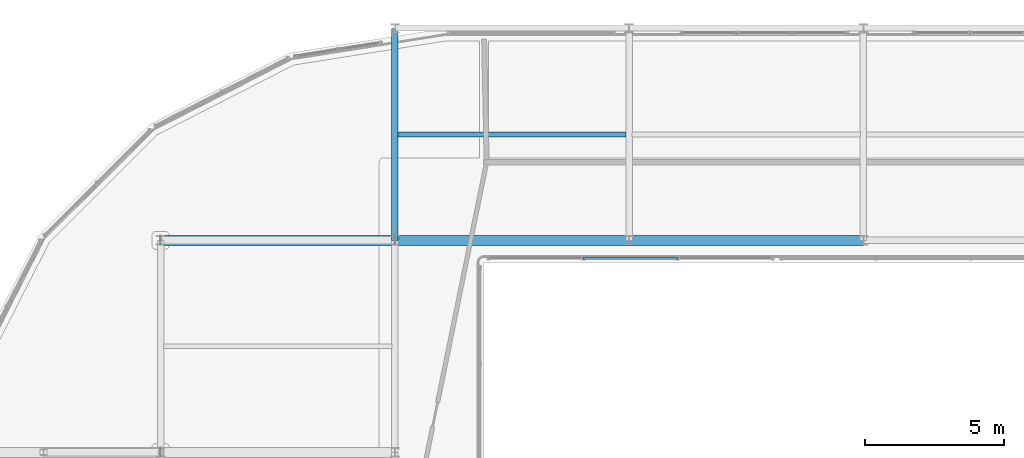
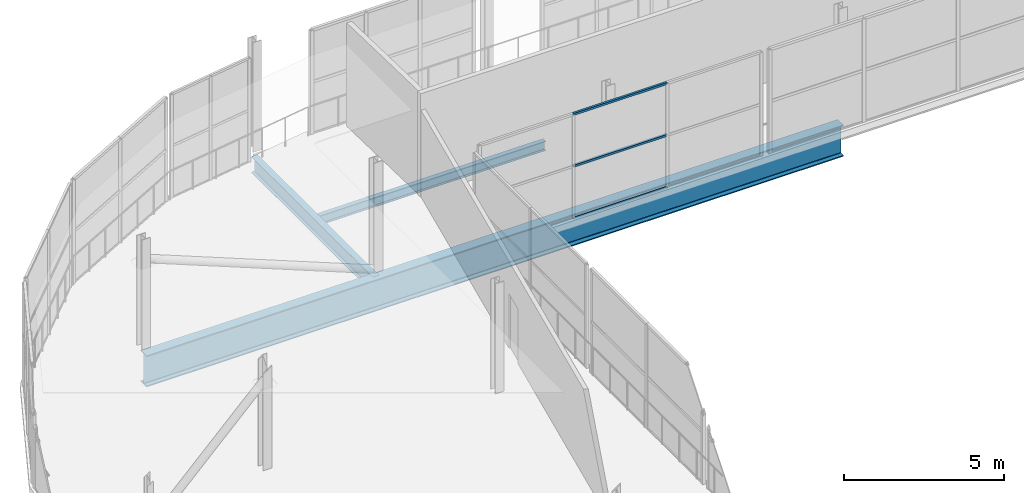
# One storey, part 56 of 151: 3 beams, 3 members, 1 element without a shape of its own.
"""IFC4 building model written with IfcOpenShell, lengths in metres."""

from ifc_helpers import new_model, si_unit, direction, frame, origin, origin_2d, place, context, subcontext, project, spatial, hollow_rectangle, i_section, extrude, material, material_profile, profile_set, type_object, element, aggregate, save


model = new_model("IFC4")

# Units and contexts
model_context = context("Model", 3, precision=1e-05, world=origin(), true_north=direction((0.0, 1.0)))
body_context = subcontext(model_context, "Body", "Model", "MODEL_VIEW")
ifc_project = project(units=[si_unit("LENGTHUNIT", "METRE"), si_unit("AREAUNIT", "SQUARE_METRE"), si_unit("VOLUMEUNIT", "CUBIC_METRE"), si_unit("PLANEANGLEUNIT", "RADIAN"), si_unit("MASSUNIT", "GRAM", prefix="KILO")], contexts=[model_context])

# Site, building, storey
site_placement = place(None, origin())
site = spatial("IfcSite", under=ifc_project, at=site_placement, CompositionType="ELEMENT")
building_placement = place(site_placement, origin())
building = spatial("IfcBuilding", under=site, at=building_placement, Name="Zuvorla Pavilion Media Centre", CompositionType="ELEMENT")
storey_placement = place(building_placement, frame((0.0, 0.0, 13.800048828125)))
storey = spatial("IfcBuildingStorey", under=building, at=storey_placement, Name="L03", CompositionType="ELEMENT", Elevation=13.800048828125)

# Beams
ifc_material_1 = material(Name="Steel S355", Category="steel")
ifc_material_profile_1 = material_profile(ifc_material_1, i_section(OverallWidth=0.360107421875, OverallDepth=1.199951171875, WebThickness=0.02001953125, FlangeThickness=0.0380859375, FilletRadius=0.02392578125, at=origin_2d()), Name="PG 1200x360x38")
ifc_profile_set_1 = profile_set([ifc_material_profile_1], Name="Steel S355")
beam_type_1 = type_object("IfcBeamType", Name="BM-PG1200", PredefinedType="BEAM", material=ifc_profile_set_1)
beam_1_placement = place(storey_placement, frame((41.60009765625, 82.0, -0.858154296875), z_axis=(-1.0, 0.0, 0.0), x_axis=(0.0, -1.0, 0.0)))
element("IfcBeam", 1, at=beam_1_placement, inside=storey, type_object=beam_type_1, Name="L03 beam B01 1693", PredefinedType="BEAM", context=body_context, shape_type="SweptSolid", body=[
    extrude(i_section(OverallWidth=0.360107421875, OverallDepth=1.199951171875, WebThickness=0.02001953125, FlangeThickness=0.0380859375, FilletRadius=0.02392578125, at=origin_2d()), origin(), (0.0, 0.0, 1.0), 25.2001953125),
])
ifc_material_profile_2 = material_profile(ifc_material_1, i_section(OverallWidth=0.172119140625, OverallDepth=0.35791015625, WebThickness=0.008056640625, FlangeThickness=0.012939453125, FilletRadius=0.01025390625, at=origin_2d()), Name="UB 356x171x57")
ifc_profile_set_2 = profile_set([ifc_material_profile_2], Name="Steel S355")
beam_type_2 = type_object("IfcBeamType", Name="BM-UB356", PredefinedType="JOIST", material=ifc_profile_set_2)
beam_2_placement = place(storey_placement, frame((24.909423828125, 85.800048828125, -0.43701171875), z_axis=(1.0, 0.0, 0.0), x_axis=(0.0, 1.0, 0.0)))
element("IfcBeam", 2, at=beam_2_placement, inside=storey, type_object=beam_type_2, Name="L03 joist J03 1237", PredefinedType="JOIST", context=body_context, shape_type="SweptSolid", body=[
    extrude(i_section(OverallWidth=0.172119140625, OverallDepth=0.35791015625, WebThickness=0.008056640625, FlangeThickness=0.012939453125, FilletRadius=0.01025390625, at=origin_2d()), origin(), (0.0, 0.0, 1.0), 8.18115234375),
])
ifc_material_profile_3 = material_profile(ifc_material_1, i_section(OverallWidth=0.22900390625, OverallDepth=0.6123046875, WebThickness=0.011962890625, FlangeThickness=0.01953125, FilletRadius=0.0126953125, at=origin_2d()), Name="UB 610x229x125")
ifc_profile_set_3 = profile_set([ifc_material_profile_3], Name="Steel S355")
beam_type_3 = type_object("IfcBeamType", Name="BM-UB610", PredefinedType="BEAM", material=ifc_profile_set_3)
beam_3_placement = place(storey_placement, frame((24.800048828125, 82.0, -0.564208984375), z_axis=(0.0, 1.0, 0.0), x_axis=(-1.0, 0.0, 0.0)))
element("IfcBeam", 3, at=beam_3_placement, inside=storey, type_object=beam_type_3, Name="L03 beam B07 1156", PredefinedType="BEAM", context=body_context, shape_type="SweptSolid", body=[
    extrude(i_section(OverallWidth=0.22900390625, OverallDepth=0.6123046875, WebThickness=0.011962890625, FlangeThickness=0.01953125, FilletRadius=0.0126953125, at=origin_2d()), origin(), (0.0, 0.0, 1.0), 7.60009765625),
])

# Curtain wall, members
ifc_material_2 = material(Name="Unitised anodised aluminium and solar glass curtain wall", Category="aluminium")
curtain_wall_type = type_object("IfcCurtainWallType", Name="CW-SYS-30", PredefinedType="USERDEFINED", material=ifc_material_2)
curtain_wall_placement = place(storey_placement, origin())
curtain_wall = element("IfcCurtainWall", 4, at=curtain_wall_placement, inside=storey, type_object=curtain_wall_type, Name="L03 curtain wall CW30 150", ObjectType="CURTAIN WALL", PredefinedType="USERDEFINED")
ifc_material_3 = material(Name="Anodised aluminium 6063-T6", Category="aluminium")
ifc_material_profile_4 = material_profile(ifc_material_3, hollow_rectangle(XDim=0.080078125, YDim=0.080078125, WallThickness=0.00390625, at=origin_2d()), Name="ALU TRAN 80x80")
ifc_profile_set_4 = profile_set([ifc_material_profile_4], Name="Anodised aluminium 6063-T6")
member_type = type_object("IfcMemberType", Name="CW-TRAN-80", PredefinedType="USERDEFINED", material=ifc_profile_set_4)
member_1_placement = place(storey_placement, frame((34.94677734375, 81.360107421875, 0.0), z_axis=(-1.0, 0.0, 0.0), x_axis=(0.0, -1.0, 0.0)))
member_1 = element("IfcMember", 5, at=member_1_placement, type_object=member_type, Name="CW30 transom 2.1", ObjectType="TRANSOM", PredefinedType="USERDEFINED", context=body_context, shape_type="SweptSolid", body=[
    extrude(hollow_rectangle(XDim=0.080078125, YDim=0.080078125, WallThickness=0.00390625, at=origin_2d()), origin(), (0.0, 0.0, 1.0), 3.3935546875),
])
member_2_placement = place(storey_placement, frame((34.94677734375, 81.360107421875, 1.97998046875), z_axis=(-1.0, 0.0, 0.0), x_axis=(0.0, -1.0, 0.0)))
member_2 = element("IfcMember", 6, at=member_2_placement, type_object=member_type, Name="CW30 transom 2.2", ObjectType="TRANSOM", PredefinedType="USERDEFINED", context=body_context, shape_type="SweptSolid", body=[
    extrude(hollow_rectangle(XDim=0.080078125, YDim=0.080078125, WallThickness=0.00390625, at=origin_2d()), origin(), (0.0, 0.0, 1.0), 3.3935546875),
])
member_3_placement = place(storey_placement, frame((34.94677734375, 81.360107421875, 3.9599609375), z_axis=(-1.0, 0.0, 0.0), x_axis=(0.0, -1.0, 0.0)))
member_3 = element("IfcMember", 7, at=member_3_placement, type_object=member_type, Name="CW30 transom 2.3", ObjectType="TRANSOM", PredefinedType="USERDEFINED", context=body_context, shape_type="SweptSolid", body=[
    extrude(hollow_rectangle(XDim=0.080078125, YDim=0.080078125, WallThickness=0.00390625, at=origin_2d()), origin(), (0.0, 0.0, 1.0), 3.3935546875),
])
aggregate(curtain_wall, [member_1, member_2, member_3])

save(model, "model.ifc")
